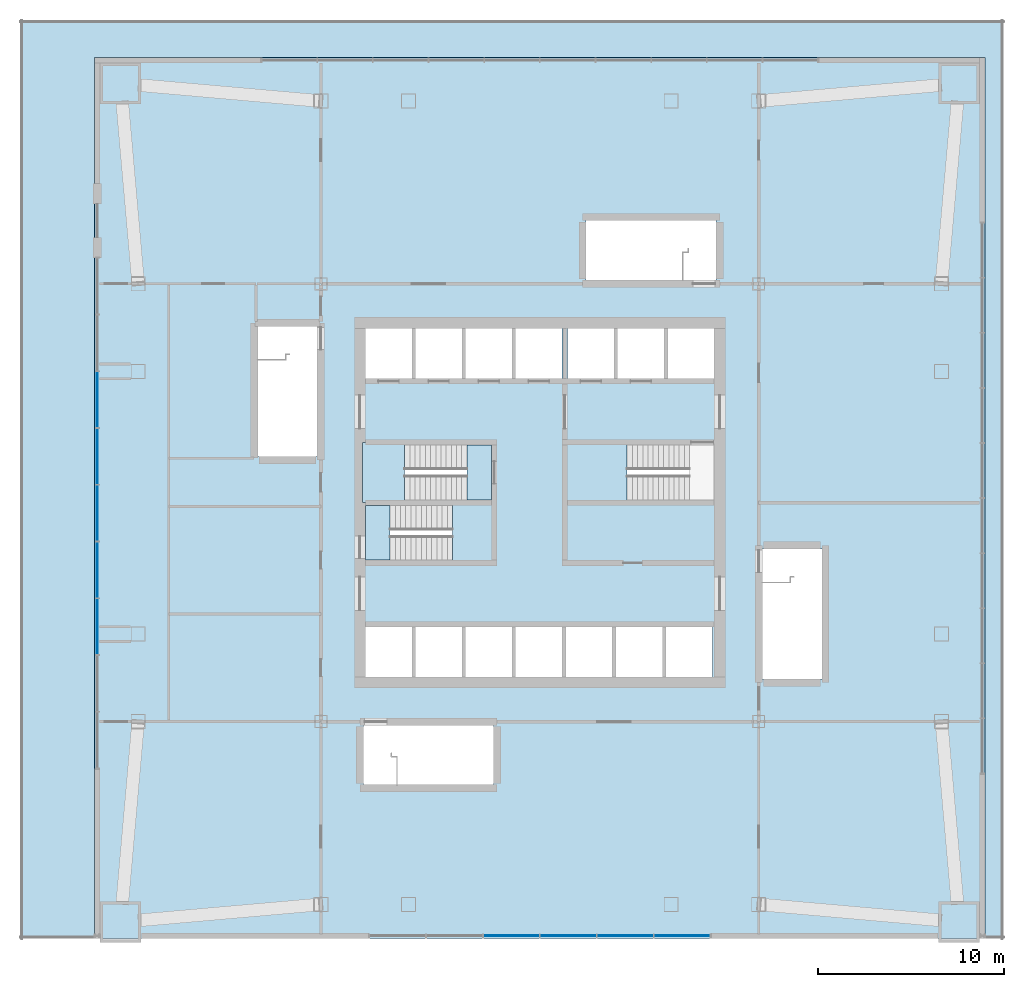
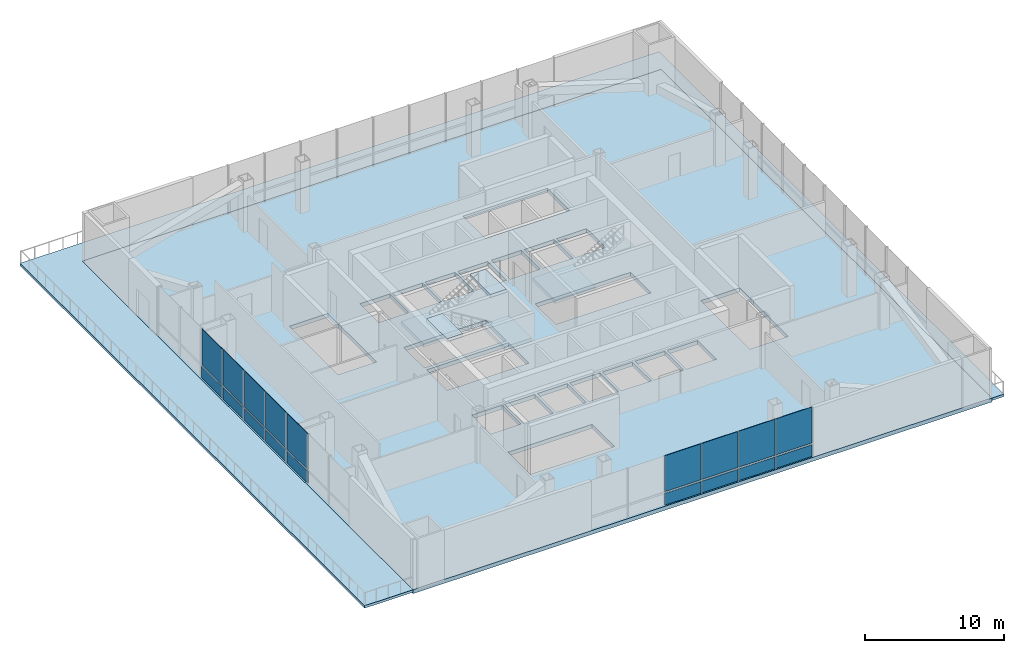
# One storey, part 9 of 15: 18 plates, 7 slabs, 5 elements without a shape of their own.
"""IFC4 building model written with IfcOpenShell, lengths in metres."""

from ifc_helpers import new_model, si_unit, direction, frame, origin, origin_2d, place, context, subcontext, project, spatial, polyline, rectangle, outline, extrude, material, layer, layer_set, type_object, element, aggregate, save


model = new_model("IFC4")

# Units and contexts
model_context = context("Model", 3, precision=1e-05, world=origin(), true_north=direction((0.0, 1.0)))
body_context = subcontext(model_context, "Body", "Model", "MODEL_VIEW")
ifc_project = project(units=[si_unit("LENGTHUNIT", "METRE"), si_unit("AREAUNIT", "SQUARE_METRE"), si_unit("VOLUMEUNIT", "CUBIC_METRE"), si_unit("PLANEANGLEUNIT", "RADIAN"), si_unit("MASSUNIT", "GRAM", prefix="KILO")], contexts=[model_context])

# Site, building, storey
site_placement = place(None, origin())
site = spatial("IfcSite", under=ifc_project, at=site_placement, CompositionType="ELEMENT")
building_placement = place(site_placement, origin())
building = spatial("IfcBuilding", under=site, at=building_placement, Name="Turquesa Mirador Hotel Tower", CompositionType="ELEMENT")
storey_placement = place(building_placement, frame((0.0, 0.0, 20.5)))
storey = spatial("IfcBuildingStorey", under=building, at=storey_placement, Name="L04", CompositionType="ELEMENT", Elevation=20.5)

# Curtain wall, plates
ifc_material_1 = material(Name="Aluminium extrusion", Category="aluminium")
curtain_wall_type = type_object("IfcCurtainWallType", Name="CW-3 PODIUM UPPER CURTAIN WALL", PredefinedType="USERDEFINED", material=ifc_material_1)
curtain_wall_1_placement = place(storey_placement, origin())
curtain_wall_1 = element("IfcCurtainWall", 1, at=curtain_wall_1_placement, inside=storey, type_object=curtain_wall_type, Name="CW-3 PODIUM UPPER CURTAIN WALL L04", ObjectType="CURTAIN WALL", PredefinedType="USERDEFINED")
ifc_material_2 = material(Name="Ceramic-printed spandrel glass on an insulated back pan", Category="glass")
ifc_layer_1 = layer(ifc_material_2, 0.050048828125)
ifc_layer_set_1 = layer_set([ifc_layer_1], Name="CW PANEL SPANDREL CERAMIC")
plate_type_1 = type_object("IfcPlateType", Name="CW PANEL SPANDREL CERAMIC", PredefinedType="CURTAIN_PANEL", material=ifc_layer_set_1)
plate_1_placement = place(storey_placement, frame((53.466796875, 21.64990234375, 0.0), z_axis=(0.0, 0.0, 1.0), x_axis=(1.0, 0.0, 0.0)))
plate_1 = element("IfcPlate", 2, at=plate_1_placement, type_object=plate_type_1, Name="Panel", PredefinedType="CURTAIN_PANEL", context=body_context, shape_type="SweptSolid", body=[
    extrude(rectangle(XDim=3.00146484375, YDim=0.050048828125, at=origin_2d()), origin(), (0.0, 0.0, 1.0), 1.02490234375),
])
plate_2_placement = place(storey_placement, frame((56.533203125, 21.64990234375, 0.0), z_axis=(0.0, 0.0, 1.0), x_axis=(1.0, 0.0, 0.0)))
plate_2 = element("IfcPlate", 3, at=plate_2_placement, type_object=plate_type_1, Name="Panel", PredefinedType="CURTAIN_PANEL", context=body_context, shape_type="SweptSolid", body=[
    extrude(rectangle(XDim=3.00146484375, YDim=0.050048828125, at=origin_2d()), origin(), (0.0, 0.0, 1.0), 1.02490234375),
])
plate_3_placement = place(storey_placement, frame((59.599853515625, 21.64990234375, 0.0), z_axis=(0.0, 0.0, 1.0), x_axis=(1.0, 0.0, 0.0)))
plate_3 = element("IfcPlate", 4, at=plate_3_placement, type_object=plate_type_1, Name="Panel", PredefinedType="CURTAIN_PANEL", context=body_context, shape_type="SweptSolid", body=[
    extrude(rectangle(XDim=3.00146484375, YDim=0.050048828125, at=origin_2d()), origin(), (0.0, 0.0, 1.0), 1.02490234375),
])
plate_4_placement = place(storey_placement, frame((62.666259765625, 21.64990234375, 0.0), z_axis=(0.0, 0.0, 1.0), x_axis=(1.0, 0.0, 0.0)))
plate_4 = element("IfcPlate", 5, at=plate_4_placement, type_object=plate_type_1, Name="Panel", PredefinedType="CURTAIN_PANEL", context=body_context, shape_type="SweptSolid", body=[
    extrude(rectangle(XDim=3.00146484375, YDim=0.050048828125, at=origin_2d()), origin(), (0.0, 0.0, 1.0), 1.02490234375),
])

curtain_wall_2_placement = place(storey_placement, origin())
curtain_wall_2 = element("IfcCurtainWall", 6, at=curtain_wall_2_placement, inside=storey, type_object=curtain_wall_type, Name="CW-3 PODIUM UPPER CURTAIN WALL L04", ObjectType="CURTAIN WALL", PredefinedType="USERDEFINED")
plate_5_placement = place(storey_placement, frame((31.14990234375, 50.55419921875, 0.0), z_axis=(0.0, 0.0, 1.0), x_axis=(0.0, -1.0, 0.0)))
plate_5 = element("IfcPlate", 7, at=plate_5_placement, type_object=plate_type_1, Name="Panel", PredefinedType="CURTAIN_PANEL", context=body_context, shape_type="SweptSolid", body=[
    extrude(rectangle(XDim=2.993408203125, YDim=0.050048828125, at=origin_2d()), origin(), (0.0, 0.0, 1.0), 1.02490234375),
])
plate_6_placement = place(storey_placement, frame((31.14990234375, 47.495849609375, 0.0), z_axis=(0.0, 0.0, 1.0), x_axis=(0.0, -1.0, 0.0)))
plate_6 = element("IfcPlate", 8, at=plate_6_placement, type_object=plate_type_1, Name="Panel", PredefinedType="CURTAIN_PANEL", context=body_context, shape_type="SweptSolid", body=[
    extrude(rectangle(XDim=2.993408203125, YDim=0.050048828125, at=origin_2d()), origin(), (0.0, 0.0, 1.0), 1.02490234375),
])
plate_7_placement = place(storey_placement, frame((31.14990234375, 44.4375, 0.0), z_axis=(0.0, 0.0, 1.0), x_axis=(0.0, -1.0, 0.0)))
plate_7 = element("IfcPlate", 9, at=plate_7_placement, type_object=plate_type_1, Name="Panel", PredefinedType="CURTAIN_PANEL", context=body_context, shape_type="SweptSolid", body=[
    extrude(rectangle(XDim=2.993408203125, YDim=0.050048828125, at=origin_2d()), origin(), (0.0, 0.0, 1.0), 1.02490234375),
])
plate_8_placement = place(storey_placement, frame((31.14990234375, 41.379150390625, 0.0), z_axis=(0.0, 0.0, 1.0), x_axis=(0.0, -1.0, 0.0)))
plate_8 = element("IfcPlate", 10, at=plate_8_placement, type_object=plate_type_1, Name="Panel", PredefinedType="CURTAIN_PANEL", context=body_context, shape_type="SweptSolid", body=[
    extrude(rectangle(XDim=2.993408203125, YDim=0.050048828125, at=origin_2d()), origin(), (0.0, 0.0, 1.0), 1.02490234375),
])
plate_9_placement = place(storey_placement, frame((31.14990234375, 38.32080078125, 0.0), z_axis=(0.0, 0.0, 1.0), x_axis=(0.0, -1.0, 0.0)))
plate_9 = element("IfcPlate", 11, at=plate_9_placement, type_object=plate_type_1, Name="Panel", PredefinedType="CURTAIN_PANEL", context=body_context, shape_type="SweptSolid", body=[
    extrude(rectangle(XDim=2.993408203125, YDim=0.050048828125, at=origin_2d()), origin(), (0.0, 0.0, 1.0), 1.02490234375),
])

# Plate
ifc_material_3 = material(Name="Ceramic-fritted laminated glass", Category="glass")
ifc_layer_2 = layer(ifc_material_3, 0.031982421875)
ifc_layer_set_2 = layer_set([ifc_layer_2], Name="CW PANEL VISION FRITTED")
plate_type_2 = type_object("IfcPlateType", Name="CW PANEL VISION FRITTED", PredefinedType="CURTAIN_PANEL", material=ifc_layer_set_2)
plate_10_placement = place(storey_placement, frame((53.466796875, 21.64990234375, 1.1748046875), z_axis=(0.0, 0.0, 1.0), x_axis=(1.0, 0.0, 0.0)))
plate_10 = element("IfcPlate", 12, at=plate_10_placement, type_object=plate_type_2, Name="Panel", PredefinedType="CURTAIN_PANEL", context=body_context, shape_type="SweptSolid", body=[
    extrude(rectangle(XDim=3.00146484375, YDim=0.031982421875, at=origin_2d()), origin(), (0.0, 0.0, 1.0), 3.155029296875),
])

plate_11_placement = place(storey_placement, frame((56.533203125, 21.64990234375, 1.1748046875), z_axis=(0.0, 0.0, 1.0), x_axis=(1.0, 0.0, 0.0)))
plate_11 = element("IfcPlate", 13, at=plate_11_placement, type_object=plate_type_2, Name="Panel", PredefinedType="CURTAIN_PANEL", context=body_context, shape_type="SweptSolid", body=[
    extrude(rectangle(XDim=3.00146484375, YDim=0.031982421875, at=origin_2d()), origin(), (0.0, 0.0, 1.0), 3.155029296875),
])

plate_12_placement = place(storey_placement, frame((59.599853515625, 21.64990234375, 1.1748046875), z_axis=(0.0, 0.0, 1.0), x_axis=(1.0, 0.0, 0.0)))
plate_12 = element("IfcPlate", 14, at=plate_12_placement, type_object=plate_type_2, Name="Panel", PredefinedType="CURTAIN_PANEL", context=body_context, shape_type="SweptSolid", body=[
    extrude(rectangle(XDim=3.00146484375, YDim=0.031982421875, at=origin_2d()), origin(), (0.0, 0.0, 1.0), 3.155029296875),
])

plate_13_placement = place(storey_placement, frame((62.666259765625, 21.64990234375, 1.1748046875), z_axis=(0.0, 0.0, 1.0), x_axis=(1.0, 0.0, 0.0)))
plate_13 = element("IfcPlate", 15, at=plate_13_placement, type_object=plate_type_2, Name="Panel", PredefinedType="CURTAIN_PANEL", context=body_context, shape_type="SweptSolid", body=[
    extrude(rectangle(XDim=3.00146484375, YDim=0.031982421875, at=origin_2d()), origin(), (0.0, 0.0, 1.0), 3.155029296875),
])

aggregate(curtain_wall_1, [plate_1, plate_10, plate_2, plate_11, plate_3, plate_12, plate_4, plate_13])

plate_14_placement = place(storey_placement, frame((31.14990234375, 50.55419921875, 1.1748046875), z_axis=(0.0, 0.0, 1.0), x_axis=(0.0, -1.0, 0.0)))
plate_14 = element("IfcPlate", 16, at=plate_14_placement, type_object=plate_type_2, Name="Panel", PredefinedType="CURTAIN_PANEL", context=body_context, shape_type="SweptSolid", body=[
    extrude(rectangle(XDim=2.993408203125, YDim=0.031982421875, at=origin_2d()), origin(), (0.0, 0.0, 1.0), 3.155029296875),
])

plate_15_placement = place(storey_placement, frame((31.14990234375, 47.495849609375, 1.1748046875), z_axis=(0.0, 0.0, 1.0), x_axis=(0.0, -1.0, 0.0)))
plate_15 = element("IfcPlate", 17, at=plate_15_placement, type_object=plate_type_2, Name="Panel", PredefinedType="CURTAIN_PANEL", context=body_context, shape_type="SweptSolid", body=[
    extrude(rectangle(XDim=2.993408203125, YDim=0.031982421875, at=origin_2d()), origin(), (0.0, 0.0, 1.0), 3.155029296875),
])

plate_16_placement = place(storey_placement, frame((31.14990234375, 44.4375, 1.1748046875), z_axis=(0.0, 0.0, 1.0), x_axis=(0.0, -1.0, 0.0)))
plate_16 = element("IfcPlate", 18, at=plate_16_placement, type_object=plate_type_2, Name="Panel", PredefinedType="CURTAIN_PANEL", context=body_context, shape_type="SweptSolid", body=[
    extrude(rectangle(XDim=2.993408203125, YDim=0.031982421875, at=origin_2d()), origin(), (0.0, 0.0, 1.0), 3.155029296875),
])

plate_17_placement = place(storey_placement, frame((31.14990234375, 41.379150390625, 1.1748046875), z_axis=(0.0, 0.0, 1.0), x_axis=(0.0, -1.0, 0.0)))
plate_17 = element("IfcPlate", 19, at=plate_17_placement, type_object=plate_type_2, Name="Panel", PredefinedType="CURTAIN_PANEL", context=body_context, shape_type="SweptSolid", body=[
    extrude(rectangle(XDim=2.993408203125, YDim=0.031982421875, at=origin_2d()), origin(), (0.0, 0.0, 1.0), 3.155029296875),
])

plate_18_placement = place(storey_placement, frame((31.14990234375, 38.32080078125, 1.1748046875), z_axis=(0.0, 0.0, 1.0), x_axis=(0.0, -1.0, 0.0)))
plate_18 = element("IfcPlate", 20, at=plate_18_placement, type_object=plate_type_2, Name="Panel", PredefinedType="CURTAIN_PANEL", context=body_context, shape_type="SweptSolid", body=[
    extrude(rectangle(XDim=2.993408203125, YDim=0.031982421875, at=origin_2d()), origin(), (0.0, 0.0, 1.0), 3.155029296875),
])

aggregate(curtain_wall_2, [plate_5, plate_14, plate_6, plate_15, plate_7, plate_16, plate_8, plate_17, plate_9, plate_18])

# Slab
ifc_material_4 = material(Name="Concrete C40/50", Category="concrete")
ifc_layer_3 = layer(ifc_material_4, 0.35009765625)
ifc_layer_set_3 = layer_set([ifc_layer_3], Name="FLAT SLAB 350")
slab_type_1 = type_object("IfcSlabType", Name="FLAT SLAB 350", PredefinedType="FLOOR", material=ifc_layer_set_3)
slab_1_placement = place(storey_placement, frame((0.0, 0.0, -0.35009765625)))
element("IfcSlab", 21, at=slab_1_placement, inside=storey, type_object=slab_type_1, Name="Floor slab L04", PredefinedType="FLOOR", context=body_context, shape_type="SweptSolid", body=[
    extrude(outline(polyline([(31.0, 21.5), (79.0, 21.5), (79.0, 69.0), (31.0, 69.0), (31.0, 21.5)]), holes=[polyline([(45.60009765625, 51.699951171875), (48.10009765625, 51.699951171875), (48.10009765625, 54.39990234375), (45.60009765625, 54.39990234375), (45.60009765625, 51.699951171875)]), polyline([(48.300048828125, 51.699951171875), (50.800048828125, 51.699951171875), (50.800048828125, 54.39990234375), (48.300048828125, 54.39990234375), (48.300048828125, 51.699951171875)]), polyline([(51.0, 51.699951171875), (53.5, 51.699951171875), (53.5, 54.39990234375), (51.0, 54.39990234375), (51.0, 51.699951171875)]), polyline([(53.699951171875, 51.699951171875), (56.199951171875, 51.699951171875), (56.199951171875, 54.39990234375), (53.699951171875, 54.39990234375), (53.699951171875, 51.699951171875)]), polyline([(56.5, 51.699951171875), (59.0, 51.699951171875), (59.0, 54.39990234375), (56.5, 54.39990234375), (56.5, 51.699951171875)]), polyline([(59.199951171875, 51.699951171875), (61.699951171875, 51.699951171875), (61.699951171875, 54.39990234375), (59.199951171875, 54.39990234375), (59.199951171875, 51.699951171875)]), polyline([(45.60009765625, 35.60009765625), (48.10009765625, 35.60009765625), (48.10009765625, 38.300048828125), (45.60009765625, 38.300048828125), (45.60009765625, 35.60009765625)]), polyline([(48.300048828125, 35.60009765625), (50.800048828125, 35.60009765625), (50.800048828125, 38.300048828125), (48.300048828125, 38.300048828125), (48.300048828125, 35.60009765625)]), polyline([(51.0, 35.60009765625), (53.5, 35.60009765625), (53.5, 38.300048828125), (51.0, 38.300048828125), (51.0, 35.60009765625)]), polyline([(53.699951171875, 35.60009765625), (56.199951171875, 35.60009765625), (56.199951171875, 38.300048828125), (53.699951171875, 38.300048828125), (53.699951171875, 35.60009765625)]), polyline([(56.39990234375, 35.60009765625), (58.89990234375, 35.60009765625), (58.89990234375, 38.300048828125), (56.39990234375, 38.300048828125), (56.39990234375, 35.60009765625)]), polyline([(59.10009765625, 35.60009765625), (61.60009765625, 35.60009765625), (61.60009765625, 38.300048828125), (59.10009765625, 38.300048828125), (59.10009765625, 35.60009765625)]), polyline([(61.800048828125, 35.60009765625), (64.300048828125, 35.60009765625), (64.300048828125, 38.300048828125), (61.800048828125, 38.300048828125), (61.800048828125, 35.60009765625)]), polyline([(45.60009765625, 45.14990234375), (52.39990234375, 45.14990234375), (52.39990234375, 48.10009765625), (45.60009765625, 48.10009765625), (45.60009765625, 45.14990234375)]), polyline([(45.60009765625, 41.89990234375), (52.39990234375, 41.89990234375), (52.39990234375, 44.85009765625), (45.60009765625, 44.85009765625), (45.60009765625, 41.89990234375)]), polyline([(56.5, 45.14990234375), (64.39990234375, 45.14990234375), (64.39990234375, 48.10009765625), (56.5, 48.10009765625), (56.5, 45.14990234375)]), polyline([(61.89990234375, 51.699951171875), (64.39990234375, 51.699951171875), (64.39990234375, 54.39990234375), (61.89990234375, 54.39990234375), (61.89990234375, 51.699951171875)]), polyline([(57.5, 57.0), (64.5, 57.0), (64.5, 60.199951171875), (57.5, 60.199951171875), (57.5, 57.0)]), polyline([(45.5, 29.800048828125), (52.5, 29.800048828125), (52.5, 33.0), (45.5, 33.0), (45.5, 29.800048828125)]), polyline([(67.0, 35.5), (70.199951171875, 35.5), (70.199951171875, 42.5), (67.0, 42.5), (67.0, 35.5)]), polyline([(39.800048828125, 47.5), (43.0, 47.5), (43.0, 54.5), (39.800048828125, 54.5), (39.800048828125, 47.5)])]), origin(), (0.0, 0.0, 1.0), 0.35009765625),
])

# Stair, slabs
ifc_material_5 = material(Name="Concrete C35/45", Category="concrete")
stair_type = type_object("IfcStairType", Name="ESCAPE STAIR CORE", PredefinedType="HALF_TURN_STAIR", material=ifc_material_5)
stair_1_placement = place(storey_placement, origin())
stair_1 = element("IfcStair", 22, at=stair_1_placement, inside=storey, type_object=stair_type, Name="Stair ST1 L04 to L05", PredefinedType="HALF_TURN_STAIR")
ifc_material_6 = material(Name="Concrete C35/45", Category="concrete")
ifc_layer_4 = layer(ifc_material_6, 0.300048828125)
ifc_layer_set_4 = layer_set([ifc_layer_4], Name="STAIR LANDING 300")
slab_type_2 = type_object("IfcSlabType", Name="STAIR LANDING 300", PredefinedType="LANDING", material=ifc_layer_set_4)
slab_2_placement = place(storey_placement, frame((0.0, 0.0, 1.949951171875)))
slab_2 = element("IfcSlab", 23, at=slab_2_placement, type_object=slab_type_2, Name="ST1 landing 1", PredefinedType="LANDING", context=body_context, shape_type="SweptSolid", body=[
    extrude(outline(polyline([(45.449951171875, 45.0), (47.7099609375, 45.0), (47.7099609375, 48.25), (45.449951171875, 48.25), (45.449951171875, 45.0)])), origin(), (0.0, 0.0, 1.0), 0.300048828125),
])
slab_3_placement = place(storey_placement, frame((0.0, 0.0, 4.199951171875)))
slab_3 = element("IfcSlab", 24, at=slab_3_placement, type_object=slab_type_2, Name="ST1 landing 2", PredefinedType="LANDING", context=body_context, shape_type="SweptSolid", body=[
    extrude(outline(polyline([(51.070068359375, 45.14990234375), (52.39990234375, 45.14990234375), (52.39990234375, 48.10009765625), (51.070068359375, 48.10009765625), (51.070068359375, 45.14990234375)])), origin(), (0.0, 0.0, 1.0), 0.300048828125),
])
aggregate(stair_1, [slab_2, slab_3])

stair_2_placement = place(storey_placement, origin())
stair_2 = element("IfcStair", 25, at=stair_2_placement, inside=storey, type_object=stair_type, Name="Stair ST2 L04 to L05", PredefinedType="HALF_TURN_STAIR")
slab_4_placement = place(storey_placement, frame((0.0, 0.0, 1.949951171875)))
slab_4 = element("IfcSlab", 26, at=slab_4_placement, type_object=slab_type_2, Name="ST2 landing 1", PredefinedType="LANDING", context=body_context, shape_type="SweptSolid", body=[
    extrude(outline(polyline([(52.550048828125, 45.0), (50.2900390625, 45.0), (50.2900390625, 41.75), (52.550048828125, 41.75), (52.550048828125, 45.0)])), origin(), (0.0, 0.0, 1.0), 0.300048828125),
])
slab_5_placement = place(storey_placement, frame((0.0, 0.0, 4.199951171875)))
slab_5 = element("IfcSlab", 27, at=slab_5_placement, type_object=slab_type_2, Name="ST2 landing 2", PredefinedType="LANDING", context=body_context, shape_type="SweptSolid", body=[
    extrude(outline(polyline([(46.929931640625, 44.85009765625), (45.60009765625, 44.85009765625), (45.60009765625, 41.89990234375), (46.929931640625, 41.89990234375), (46.929931640625, 44.85009765625)])), origin(), (0.0, 0.0, 1.0), 0.300048828125),
])
aggregate(stair_2, [slab_4, slab_5])

# Stair, slab
stair_3_placement = place(storey_placement, origin())
stair_3 = element("IfcStair", 28, at=stair_3_placement, inside=storey, type_object=stair_type, Name="Stair ST3 L04 to L05", PredefinedType="HALF_TURN_STAIR")
slab_6_placement = place(storey_placement, frame((0.0, 0.0, 1.949951171875)))
slab_6 = element("IfcSlab", 29, at=slab_6_placement, type_object=slab_type_2, Name="ST3 landing 1", PredefinedType="LANDING", context=body_context, shape_type="SweptSolid", body=[
    extrude(outline(polyline([(56.35009765625, 45.0), (59.7099609375, 45.0), (59.7099609375, 48.25), (56.35009765625, 48.25), (56.35009765625, 45.0)])), origin(), (0.0, 0.0, 1.0), 0.300048828125),
])
aggregate(stair_3, [slab_6])

# Slab
ifc_material_7 = material(Name="Concrete C35/45 with stone paving", Category="masonry")
ifc_layer_5 = layer(ifc_material_7, 0.219970703125)
ifc_layer_set_5 = layer_set([ifc_layer_5], Name="TERRACE SLAB 220")
slab_type_3 = type_object("IfcSlabType", Name="TERRACE SLAB 220", PredefinedType="ROOF", material=ifc_layer_set_5)
slab_7_placement = place(storey_placement, frame((0.0, 0.0, -0.219970703125)))
element("IfcSlab", 30, at=slab_7_placement, inside=storey, type_object=slab_type_3, Name="Staff terrace", PredefinedType="ROOF", context=body_context, shape_type="SweptSolid", body=[
    extrude(outline(polyline([(27.0, 21.5), (27.0, 71.0), (80.0, 71.0), (80.0, 21.5), (79.0, 21.5), (79.0, 69.0), (31.0, 69.0), (31.0, 21.5), (27.0, 21.5)])), origin(), (0.0, 0.0, 1.0), 0.219970703125),
])

save(model, "model.ifc")
